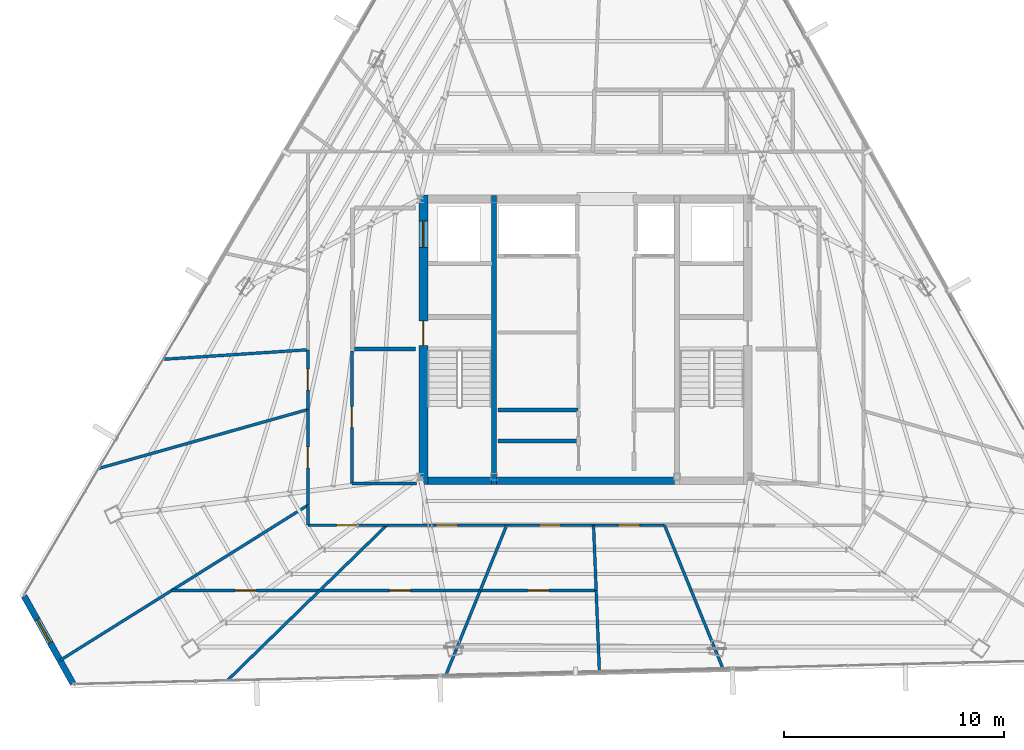
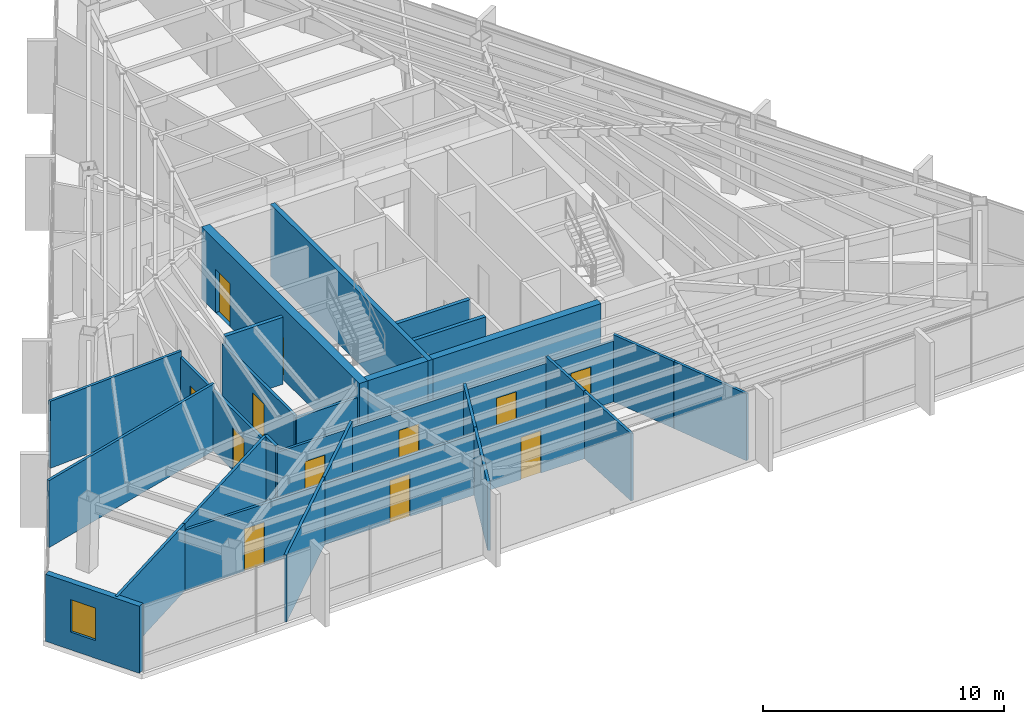
# One storey, part 43 of 48: 32 walls, 12 doors, 1 window, 13 openings.
"""IFC4 building model written with IfcOpenShell, lengths in metres."""

from ifc_helpers import new_model, si_unit, direction, frame, frame_2d, origin, place, context, subcontext, project, spatial, rectangle, extrude, material, layer, layer_set, type_object, element, fill, save


model = new_model("IFC4")

# Units and contexts
model_context = context("Model", 3, precision=1e-05, world=origin(), true_north=direction((0.0, 1.0)))
body_context = subcontext(model_context, "Body", "Model", "MODEL_VIEW")
ifc_project = project(units=[si_unit("LENGTHUNIT", "METRE"), si_unit("AREAUNIT", "SQUARE_METRE"), si_unit("VOLUMEUNIT", "CUBIC_METRE"), si_unit("PLANEANGLEUNIT", "RADIAN"), si_unit("MASSUNIT", "GRAM", prefix="KILO")], contexts=[model_context])

# Site, building, storey
site_placement = place(None, origin())
site = spatial("IfcSite", under=ifc_project, at=site_placement, CompositionType="ELEMENT")
building_placement = place(site_placement, origin())
building = spatial("IfcBuilding", under=site, at=building_placement, Name="Caelisora Broadcast Tower", CompositionType="ELEMENT")
storey_placement = place(building_placement, frame((0.0, 0.0, 270.0)))
storey = spatial("IfcBuildingStorey", under=building, at=storey_placement, Name="L71", CompositionType="ELEMENT", Elevation=270.0)

# Wall, openings, doors
ifc_material_1 = material(Name="Concrete 40 MPa (AS 3600 N40)", Category="concrete")
ifc_layer_1 = layer(ifc_material_1, 0.39990234375, Name="Concrete 40 MPa (AS 3600 N40)")
ifc_layer_set_1 = layer_set([ifc_layer_1], Name="Concrete 40 MPa (AS 3600 N40)")
wall_type_1 = type_object("IfcWallType", Name="CW3", PredefinedType="SHEAR", material=ifc_layer_set_1)
wall_1_placement = place(storey_placement, frame((30.639892578125, 17.050048828125, 0.0), z_axis=(0.0, 0.0, 1.0), x_axis=(0.0, 1.0, 0.0)))
wall_1 = element("IfcWall", 1, at=wall_1_placement, inside=storey, type_object=wall_type_1, Name="L71 core shear wall CW3", PredefinedType="SHEAR", context=body_context, shape_type="SweptSolid", body=[
    extrude(rectangle(XDim=13.125, YDim=0.39990234375, at=frame_2d((6.5625, 0.0))), origin(), (0.0, 0.0, 1.0), 3.64990234375),
])
opening_1_placement = place(wall_1_placement, frame((6.300048828125, 0.0, 0.0)))
opening_1 = element("IfcOpeningElement", 2, at=opening_1_placement, cuts=wall_1, Name="Opening FD04", PredefinedType="OPENING", context=body_context, shape_type="SweptSolid", body=[
    extrude(rectangle(XDim=1.1201171875, YDim=2.14990234375, at=frame_2d((0.56005859375, 1.074951171875))), frame((0.0, 0.2119140625, 0.0), z_axis=(0.0, -1.0, 0.0), x_axis=(1.0, 0.0, 0.0)), (0.0, 0.0, 1.0), 0.423828125),
])
opening_2_placement = place(wall_1_placement, frame((10.75, 0.0, 0.0)))
opening_2 = element("IfcOpeningElement", 3, at=opening_2_placement, cuts=wall_1, Name="Opening LD04", PredefinedType="OPENING", context=body_context, shape_type="SweptSolid", body=[
    extrude(rectangle(XDim=1.199951171875, YDim=2.199951171875, at=frame_2d((0.60009765625, 1.10009765625))), frame((0.0, 0.2119140625, 0.0), z_axis=(0.0, -1.0, 0.0), x_axis=(1.0, 0.0, 0.0)), (0.0, 0.0, 1.0), 0.423828125),
])
ifc_material_2 = material(Name="Pressurised Fire-Isolated Stair Door", Category="steel")
door_type_1 = type_object("IfcDoorType", Name="FD04", OperationType="NOTDEFINED", PredefinedType="DOOR", material=ifc_material_2)
door_1_placement = place(opening_1_placement, origin())
door_1 = element("IfcDoor", 4, at=door_1_placement, inside=storey, type_object=door_type_1, Name="L71 door FD04 (L71-DR-ST1)", OperationType="SINGLE_SWING_LEFT", OverallHeight=2.14990234375, OverallWidth=1.1201171875, PredefinedType="DOOR", context=body_context, shape_type="SweptSolid", body=[
    extrude(rectangle(XDim=1.1201171875, YDim=2.14990234375, at=frame_2d((0.56005859375, 1.074951171875))), frame((0.0, 0.02490234375, 0.0), z_axis=(0.0, -1.0, 0.0), x_axis=(1.0, 0.0, 0.0)), (0.0, 0.0, 1.0), 0.050048828125),
])
fill(opening_1, door_1)
ifc_material_3 = material(Name="Emergency Firefighting Lift Sliding Landing Door", Category="steel")
door_type_2 = type_object("IfcDoorType", Name="LD04", OperationType="NOTDEFINED", PredefinedType="DOOR", material=ifc_material_3)
door_2_placement = place(opening_2_placement, origin())
door_2 = element("IfcDoor", 5, at=door_2_placement, inside=storey, type_object=door_type_2, Name="L71 door LD04 (L71-LD-FFL1)", OperationType="SLIDING_TO_LEFT", OverallHeight=2.199951171875, OverallWidth=1.199951171875, PredefinedType="DOOR", context=body_context, shape_type="SweptSolid", body=[
    extrude(rectangle(XDim=1.199951171875, YDim=2.199951171875, at=frame_2d((0.60009765625, 1.10009765625))), frame((0.0, 0.02490234375, 0.0), z_axis=(0.0, -1.0, 0.0), x_axis=(1.0, 0.0, 0.0)), (0.0, 0.0, 1.0), 0.050048828125),
])
fill(opening_2, door_2)

# Walls
ifc_layer_2 = layer(ifc_material_1, 0.35009765625, Name="Concrete 40 MPa (AS 3600 N40)")
ifc_layer_set_2 = layer_set([ifc_layer_2], Name="Concrete 40 MPa (AS 3600 N40)")
wall_type_2 = type_object("IfcWallType", Name="CW6", PredefinedType="SHEAR", material=ifc_layer_set_2)
wall_2_placement = place(storey_placement, frame((30.840087890625, 17.22509765625, 0.0), z_axis=(0.0, 0.0, 1.0), x_axis=(1.0, 0.0, 0.0)))
element("IfcWall", 6, at=wall_2_placement, inside=storey, type_object=wall_type_2, Name="L71 core shear wall CW6", PredefinedType="SHEAR", context=body_context, shape_type="SweptSolid", body=[
    extrude(rectangle(XDim=2.89990234375, YDim=0.35009765625, at=frame_2d((1.449951171875, 0.0))), origin(), (0.0, 0.0, 1.0), 3.64990234375),
])
wall_3_placement = place(storey_placement, frame((33.9599609375, 17.22509765625, 0.0), z_axis=(0.0, 0.0, 1.0), x_axis=(1.0, 0.0, 0.0)))
element("IfcWall", 7, at=wall_3_placement, inside=storey, type_object=wall_type_2, Name="L71 core shear wall CW6", PredefinedType="SHEAR", context=body_context, shape_type="SweptSolid", body=[
    extrude(rectangle(XDim=8.080078125, YDim=0.35009765625, at=frame_2d((4.0400390625, 0.0))), origin(), (0.0, 0.0, 1.0), 3.64990234375),
])
ifc_material_4 = material(Name="Concrete 50 MPa (AS 3600 S50)", Category="concrete")
ifc_layer_3 = layer(ifc_material_4, 0.219970703125, Name="Concrete 50 MPa (AS 3600 S50)")
ifc_layer_set_3 = layer_set([ifc_layer_3], Name="Concrete 50 MPa (AS 3600 S50)")
wall_type_3 = type_object("IfcWallType", Name="CW7", PredefinedType="SHEAR", material=ifc_layer_set_3)
wall_4_placement = place(storey_placement, frame((33.85009765625, 17.050048828125, 0.0), z_axis=(0.0, 0.0, 1.0), x_axis=(0.0, 1.0, 0.0)))
element("IfcWall", 8, at=wall_4_placement, inside=storey, type_object=wall_type_3, Name="L71 core shear wall CW7", PredefinedType="SHEAR", context=body_context, shape_type="SweptSolid", body=[
    extrude(rectangle(XDim=13.125, YDim=0.219970703125, at=frame_2d((6.5625, 0.0))), origin(), (0.0, 0.0, 1.0), 3.64990234375),
])

# Wall, opening, window
ifc_material_5 = material(Name="Insulated Terracotta Spandrel Wall System", Category="masonry")
ifc_layer_4 = layer(ifc_material_5, 0.280029296875, Name="Insulated Terracotta Spandrel Wall System")
ifc_layer_set_4 = layer_set([ifc_layer_4], Name="Insulated Terracotta Spandrel Wall System")
wall_type_4 = type_object("IfcWallType", Name="EW1", PredefinedType="STANDARD", material=ifc_layer_set_4)
wall_5_placement = place(storey_placement, frame((14.74951171875, 8.01611328125, 0.0), z_axis=(0.0, 0.0, 1.0), x_axis=(-0.487722778136, 0.872998563394, 0.0)))
wall_5 = element("IfcWall", 9, at=wall_5_placement, inside=storey, type_object=wall_type_4, Name="L71 exterior envelope wall EW1", PredefinedType="STANDARD", context=body_context, shape_type="SweptSolid", body=[
    extrude(rectangle(XDim=4.5517578125, YDim=0.280029296875, at=frame_2d((2.27587890625, 0.0))), origin(), (0.0, 0.0, 1.0), 3.39990234375),
])
opening_3_placement = place(wall_5_placement, frame((2.1298828125, 0.0, 0.89990234375)))
opening_3 = element("IfcOpeningElement", 10, at=opening_3_placement, cuts=wall_5, Name="Opening W03", PredefinedType="OPENING", context=body_context, shape_type="SweptSolid", body=[
    extrude(rectangle(XDim=1.199951171875, YDim=1.64990234375, at=frame_2d((0.60009765625, 0.824951171875))), frame((0.0, 0.152099609375, 0.0), z_axis=(0.0, -1.0, 0.0), x_axis=(1.0, 0.0, 0.0)), (0.0, 0.0, 1.0), 0.303955078125),
])
ifc_material_6 = material(Name="Double Glazed Corner Vision Window", Category="glass")
window_type = type_object("IfcWindowType", Name="W03", PartitioningType="SINGLE_PANEL", PredefinedType="WINDOW", material=ifc_material_6)
window_placement = place(opening_3_placement, origin())
window = element("IfcWindow", 11, at=window_placement, inside=storey, type_object=window_type, Name="L71 window W03 (L71-WN-CH4)", OverallHeight=1.64990234375, OverallWidth=1.199951171875, PartitioningType="SINGLE_PANEL", PredefinedType="WINDOW", context=body_context, shape_type="SweptSolid", body=[
    extrude(rectangle(XDim=1.199951171875, YDim=1.64990234375, at=frame_2d((0.60009765625, 0.824951171875))), frame((0.0, 0.030029296875, 0.0), z_axis=(0.0, -1.0, 0.0), x_axis=(1.0, 0.0, 0.0)), (0.0, 0.0, 1.0), 0.06005859375),
])
fill(opening_3, window)

# Walls
ifc_material_7 = material(Name="Fire-Rated Gypsum Shaft and Compartment Wall", Category="gypsum")
ifc_layer_5 = layer(ifc_material_7, 0.179931640625, Name="Fire-Rated Gypsum Shaft and Compartment Wall")
ifc_layer_set_5 = layer_set([ifc_layer_5], Name="Fire-Rated Gypsum Shaft and Compartment Wall")
wall_type_5 = type_object("IfcWallType", Name="PW2", PredefinedType="PARTITIONING", material=ifc_layer_set_5)
wall_6_placement = place(storey_placement, frame((27.52001953125, 23.199951171875, 0.0), z_axis=(0.0, 0.0, 1.0), x_axis=(1.0, 0.0, 0.0)))
element("IfcWall", 12, at=wall_6_placement, inside=storey, type_object=wall_type_5, Name="L71 fire compartment wall PW2", PredefinedType="PARTITIONING", context=body_context, shape_type="SweptSolid", body=[
    extrude(rectangle(XDim=2.760009765625, YDim=0.179931640625, at=frame_2d((1.3798828125, 0.0))), origin(), (0.0, 0.0, 1.0), 3.39990234375),
])
wall_7_placement = place(storey_placement, frame((34.02001953125, 20.419921875, 0.0), z_axis=(0.0, 0.0, 1.0), x_axis=(1.0, 0.0, 0.0)))
element("IfcWall", 13, at=wall_7_placement, inside=storey, type_object=wall_type_5, Name="L71 fire compartment wall PW2", PredefinedType="PARTITIONING", context=body_context, shape_type="SweptSolid", body=[
    extrude(rectangle(XDim=3.639892578125, YDim=0.179931640625, at=frame_2d((1.81982421875, 0.0))), origin(), (0.0, 0.0, 1.0), 3.39990234375),
])
wall_8_placement = place(storey_placement, frame((34.02001953125, 19.02001953125, 0.0), z_axis=(0.0, 0.0, 1.0), x_axis=(1.0, 0.0, 0.0)))
element("IfcWall", 14, at=wall_8_placement, inside=storey, type_object=wall_type_5, Name="L71 fire compartment wall PW2", PredefinedType="PARTITIONING", context=body_context, shape_type="SweptSolid", body=[
    extrude(rectangle(XDim=3.580078125, YDim=0.179931640625, at=frame_2d((1.7900390625, 0.0))), origin(), (0.0, 0.0, 1.0), 3.39990234375),
])
ifc_material_8 = material(Name="Acoustic Steel-Stud Plasterboard Partition", Category="gypsum")
ifc_layer_6 = layer(ifc_material_8, 0.1298828125, Name="Acoustic Steel-Stud Plasterboard Partition")
ifc_layer_set_6 = layer_set([ifc_layer_6], Name="Acoustic Steel-Stud Plasterboard Partition")
wall_type_6 = type_object("IfcWallType", Name="PW3", PredefinedType="PARTITIONING", material=ifc_layer_set_6)
wall_9_placement = place(storey_placement, frame((15.912109375, 17.777099609375, 0.0), z_axis=(0.0, 0.0, 1.0), x_axis=(0.962523679816, 0.271197650788, 0.0)))
element("IfcWall", 15, at=wall_9_placement, inside=storey, type_object=wall_type_6, Name="L71 internal partition PW3", PredefinedType="PARTITIONING", context=body_context, shape_type="SweptSolid", body=[
    extrude(rectangle(XDim=9.85205078125, YDim=0.1298828125, at=frame_2d((4.926025390625, 0.0))), origin(), (0.0, 0.0, 1.0), 3.39990234375),
])
wall_10_placement = place(storey_placement, frame((19.22412109375, 12.242919921875, 0.0), z_axis=(0.0, 0.0, 1.0), x_axis=(0.847591195902, 0.530649757023, 0.0)))
element("IfcWall", 16, at=wall_10_placement, inside=storey, type_object=wall_type_6, Name="L71 internal partition PW3", PredefinedType="PARTITIONING", context=body_context, shape_type="SweptSolid", body=[
    extrude(rectangle(XDim=7.28173828125, YDim=0.1298828125, at=frame_2d((3.640869140625, 0.0))), origin(), (0.0, 0.0, 1.0), 3.39990234375),
])

# Wall, opening, door
wall_11_placement = place(storey_placement, frame((25.945068359375, 12.239990234375, 0.0), z_axis=(0.0, 0.0, 1.0), x_axis=(1.0, 0.0, 0.0)))
wall_11 = element("IfcWall", 17, at=wall_11_placement, inside=storey, type_object=wall_type_6, Name="L71 internal partition PW3", PredefinedType="PARTITIONING", context=body_context, shape_type="SweptSolid", body=[
    extrude(rectangle(XDim=7.27001953125, YDim=0.1298828125, at=frame_2d((3.635009765625, 0.0))), origin(), (0.0, 0.0, 1.0), 3.0849609375),
])
opening_4_placement = place(wall_11_placement, frame((3.155029296875, 0.0, 0.0)))
opening_4 = element("IfcOpeningElement", 18, at=opening_4_placement, cuts=wall_11, Name="Opening D01", PredefinedType="OPENING", context=body_context, shape_type="SweptSolid", body=[
    extrude(rectangle(XDim=0.9599609375, YDim=2.14990234375, at=frame_2d((0.47998046875, 1.074951171875))), frame((0.0, 0.076904296875, 0.0), z_axis=(0.0, -1.0, 0.0), x_axis=(1.0, 0.0, 0.0)), (0.0, 0.0, 1.0), 0.15380859375),
])
ifc_material_9 = material(Name="Solid-Core Timber Acoustic Office Door", Category="wood")
door_type_3 = type_object("IfcDoorType", Name="D01", OperationType="NOTDEFINED", PredefinedType="DOOR", material=ifc_material_9)
door_3_placement = place(opening_4_placement, origin())
door_3 = element("IfcDoor", 19, at=door_3_placement, inside=storey, type_object=door_type_3, Name="L71 door D01 (L71-DR-P41D1)", OperationType="SINGLE_SWING_RIGHT", OverallHeight=2.14990234375, OverallWidth=0.9599609375, PredefinedType="DOOR", context=body_context, shape_type="SweptSolid", body=[
    extrude(rectangle(XDim=0.9599609375, YDim=2.14990234375, at=frame_2d((0.47998046875, 1.074951171875))), frame((0.0, 0.02490234375, 0.0), z_axis=(0.0, -1.0, 0.0), x_axis=(1.0, 0.0, 0.0)), (0.0, 0.0, 1.0), 0.050048828125),
])
fill(opening_4, door_3)

wall_12_placement = place(storey_placement, frame((19.22509765625, 12.239990234375, 0.0), z_axis=(0.0, 0.0, 1.0), x_axis=(1.0, 0.0, 0.0)))
wall_12 = element("IfcWall", 20, at=wall_12_placement, inside=storey, type_object=wall_type_6, Name="L71 internal partition PW3", PredefinedType="PARTITIONING", context=body_context, shape_type="SweptSolid", body=[
    extrude(rectangle(XDim=6.7099609375, YDim=0.1298828125, at=frame_2d((3.35498046875, 0.0))), origin(), (0.0, 0.0, 1.0), 3.0849609375),
])
opening_5_placement = place(wall_12_placement, frame((2.875, 0.0, 0.0)))
opening_5 = element("IfcOpeningElement", 21, at=opening_5_placement, cuts=wall_12, Name="Opening D01", PredefinedType="OPENING", context=body_context, shape_type="SweptSolid", body=[
    extrude(rectangle(XDim=0.9599609375, YDim=2.14990234375, at=frame_2d((0.47998046875, 1.074951171875))), frame((0.0, 0.076904296875, 0.0), z_axis=(0.0, -1.0, 0.0), x_axis=(1.0, 0.0, 0.0)), (0.0, 0.0, 1.0), 0.15380859375),
])
door_4_placement = place(opening_5_placement, origin())
door_4 = element("IfcDoor", 22, at=door_4_placement, inside=storey, type_object=door_type_3, Name="L71 door D01 (L71-DR-P42D1)", OperationType="SINGLE_SWING_LEFT", OverallHeight=2.14990234375, OverallWidth=0.9599609375, PredefinedType="DOOR", context=body_context, shape_type="SweptSolid", body=[
    extrude(rectangle(XDim=0.9599609375, YDim=2.14990234375, at=frame_2d((0.47998046875, 1.074951171875))), frame((0.0, 0.02490234375, 0.0), z_axis=(0.0, -1.0, 0.0), x_axis=(1.0, 0.0, 0.0)), (0.0, 0.0, 1.0), 0.050048828125),
])
fill(opening_5, door_4)

# Wall
wall_13_placement = place(storey_placement, frame((18.836181640625, 22.727783203125, 0.0), z_axis=(0.0, 0.0, 1.0), x_axis=(0.997836625265, 0.065742446556, 0.0)))
element("IfcWall", 23, at=wall_13_placement, inside=storey, type_object=wall_type_6, Name="L71 internal partition PW3", PredefinedType="PARTITIONING", context=body_context, shape_type="SweptSolid", body=[
    extrude(rectangle(XDim=6.572998046875, YDim=0.1298828125, at=frame_2d((3.28662109375, 0.0))), origin(), (0.0, 0.0, 1.0), 3.39990234375),
])

# Wall, opening, door
wall_14_placement = place(storey_placement, frame((27.39990234375, 17.10498046875, 0.0), z_axis=(0.0, 0.0, 1.0), x_axis=(0.0, 1.0, 0.0)))
wall_14 = element("IfcWall", 24, at=wall_14_placement, inside=storey, type_object=wall_type_6, Name="L71 internal partition PW3", PredefinedType="PARTITIONING", context=body_context, shape_type="SweptSolid", body=[
    extrude(rectangle(XDim=6.0, YDim=0.1298828125, at=frame_2d((3.0, 0.0))), origin(), (0.0, 0.0, 1.0), 3.0849609375),
])
opening_6_placement = place(wall_14_placement, frame((2.52001953125, 0.0, 0.0)))
opening_6 = element("IfcOpeningElement", 25, at=opening_6_placement, cuts=wall_14, Name="Opening D01", PredefinedType="OPENING", context=body_context, shape_type="SweptSolid", body=[
    extrude(rectangle(XDim=0.9599609375, YDim=2.14990234375, at=frame_2d((0.47998046875, 1.074951171875))), frame((0.0, 0.076904296875, 0.0), z_axis=(0.0, -1.0, 0.0), x_axis=(1.0, 0.0, 0.0)), (0.0, 0.0, 1.0), 0.15380859375),
])
door_5_placement = place(opening_6_placement, origin())
door_5 = element("IfcDoor", 26, at=door_5_placement, inside=storey, type_object=door_type_3, Name="L71 door D01 (L71-DR-P45D1)", OperationType="SINGLE_SWING_LEFT", OverallHeight=2.14990234375, OverallWidth=0.9599609375, PredefinedType="DOOR", context=body_context, shape_type="SweptSolid", body=[
    extrude(rectangle(XDim=0.9599609375, YDim=2.14990234375, at=frame_2d((0.47998046875, 1.074951171875))), frame((0.0, 0.02490234375, 0.0), z_axis=(0.0, -1.0, 0.0), x_axis=(1.0, 0.0, 0.0)), (0.0, 0.0, 1.0), 0.050048828125),
])
fill(opening_6, door_5)

# Walls
wall_15_placement = place(storey_placement, frame((14.15625, 9.067626953125, 0.0), z_axis=(0.0, 0.0, 1.0), x_axis=(0.847467214063, 0.53084773814, 0.0)))
element("IfcWall", 27, at=wall_15_placement, inside=storey, type_object=wall_type_6, Name="L71 internal partition PW3", PredefinedType="PARTITIONING", context=body_context, shape_type="SweptSolid", body=[
    extrude(rectangle(XDim=5.970458984375, YDim=0.1298828125, at=frame_2d((2.9853515625, 0.0))), origin(), (0.0, 0.0, 1.0), 3.39990234375),
])
wall_16_placement = place(storey_placement, frame((21.745361328125, 8.15283203125, 0.0), z_axis=(0.0, 0.0, 1.0), x_axis=(0.716143495012, 0.697953074749, 0.0)))
element("IfcWall", 28, at=wall_16_placement, inside=storey, type_object=wall_type_6, Name="L71 internal partition PW3", PredefinedType="PARTITIONING", context=body_context, shape_type="SweptSolid", body=[
    extrude(rectangle(XDim=5.851806640625, YDim=0.1298828125, at=frame_2d((2.92578125, 0.0))), origin(), (0.0, 0.0, 1.0), 3.39990234375),
])

# Wall, opening, door
wall_17_placement = place(storey_placement, frame((28.985107421875, 15.199951171875, 0.0), z_axis=(0.0, 0.0, 1.0), x_axis=(1.0, 0.0, 0.0)))
wall_17 = element("IfcWall", 29, at=wall_17_placement, inside=storey, type_object=wall_type_6, Name="L71 internal partition PW3", PredefinedType="PARTITIONING", context=body_context, shape_type="SweptSolid", body=[
    extrude(rectangle(XDim=5.429931640625, YDim=0.1298828125, at=frame_2d((2.71484375, 0.0))), origin(), (0.0, 0.0, 1.0), 3.0849609375),
])
opening_7_placement = place(wall_17_placement, frame((2.235107421875, 0.0, 0.0)))
opening_7 = element("IfcOpeningElement", 30, at=opening_7_placement, cuts=wall_17, Name="Opening D01", PredefinedType="OPENING", context=body_context, shape_type="SweptSolid", body=[
    extrude(rectangle(XDim=0.9599609375, YDim=2.14990234375, at=frame_2d((0.47998046875, 1.074951171875))), frame((0.0, 0.076904296875, 0.0), z_axis=(0.0, -1.0, 0.0), x_axis=(1.0, 0.0, 0.0)), (0.0, 0.0, 1.0), 0.15380859375),
])
door_6_placement = place(opening_7_placement, origin())
door_6 = element("IfcDoor", 31, at=door_6_placement, inside=storey, type_object=door_type_3, Name="L71 door D01 (L71-DR-P50D1)", OperationType="SINGLE_SWING_LEFT", OverallHeight=2.14990234375, OverallWidth=0.9599609375, PredefinedType="DOOR", context=body_context, shape_type="SweptSolid", body=[
    extrude(rectangle(XDim=0.9599609375, YDim=2.14990234375, at=frame_2d((0.47998046875, 1.074951171875))), frame((0.0, 0.02490234375, 0.0), z_axis=(0.0, -1.0, 0.0), x_axis=(1.0, 0.0, 0.0)), (0.0, 0.0, 1.0), 0.050048828125),
])
fill(opening_7, door_6)

wall_18_placement = place(storey_placement, frame((33.22509765625, 12.239990234375, 0.0), z_axis=(0.0, 0.0, 1.0), x_axis=(1.0, 0.0, 0.0)))
wall_18 = element("IfcWall", 32, at=wall_18_placement, inside=storey, type_object=wall_type_6, Name="L71 internal partition PW3", PredefinedType="PARTITIONING", context=body_context, shape_type="SweptSolid", body=[
    extrude(rectangle(XDim=5.25, YDim=0.1298828125, at=frame_2d((2.625, 0.0))), origin(), (0.0, 0.0, 1.0), 3.0849609375),
])
opening_8_placement = place(wall_18_placement, frame((2.14501953125, 0.0, 0.0)))
opening_8 = element("IfcOpeningElement", 33, at=opening_8_placement, cuts=wall_18, Name="Opening D01", PredefinedType="OPENING", context=body_context, shape_type="SweptSolid", body=[
    extrude(rectangle(XDim=0.9599609375, YDim=2.14990234375, at=frame_2d((0.47998046875, 1.074951171875))), frame((0.0, 0.076904296875, 0.0), z_axis=(0.0, -1.0, 0.0), x_axis=(1.0, 0.0, 0.0)), (0.0, 0.0, 1.0), 0.15380859375),
])
door_7_placement = place(opening_8_placement, origin())
door_7 = element("IfcDoor", 34, at=door_7_placement, inside=storey, type_object=door_type_3, Name="L71 door D01 (L71-DR-P52D1)", OperationType="SINGLE_SWING_RIGHT", OverallHeight=2.14990234375, OverallWidth=0.9599609375, PredefinedType="DOOR", context=body_context, shape_type="SweptSolid", body=[
    extrude(rectangle(XDim=0.9599609375, YDim=2.14990234375, at=frame_2d((0.47998046875, 1.074951171875))), frame((0.0, 0.02490234375, 0.0), z_axis=(0.0, -1.0, 0.0), x_axis=(1.0, 0.0, 0.0)), (0.0, 0.0, 1.0), 0.050048828125),
])
fill(opening_8, door_7)

wall_19_placement = place(storey_placement, frame((25.39990234375, 16.114990234375, 0.0), z_axis=(0.0, 0.0, 1.0), x_axis=(0.0, 1.0, 0.0)))
wall_19 = element("IfcWall", 35, at=wall_19_placement, inside=storey, type_object=wall_type_6, Name="L71 internal partition PW3", PredefinedType="PARTITIONING", context=body_context, shape_type="SweptSolid", body=[
    extrude(rectangle(XDim=4.330078125, YDim=0.1298828125, at=frame_2d((2.1650390625, 0.0))), origin(), (0.0, 0.0, 1.0), 3.0849609375),
])
opening_9_placement = place(wall_19_placement, frame((1.68505859375, 0.0, 0.0)))
opening_9 = element("IfcOpeningElement", 36, at=opening_9_placement, cuts=wall_19, Name="Opening D01", PredefinedType="OPENING", context=body_context, shape_type="SweptSolid", body=[
    extrude(rectangle(XDim=0.9599609375, YDim=2.14990234375, at=frame_2d((0.47998046875, 1.074951171875))), frame((0.0, 0.076904296875, 0.0), z_axis=(0.0, -1.0, 0.0), x_axis=(1.0, 0.0, 0.0)), (0.0, 0.0, 1.0), 0.15380859375),
])
door_8_placement = place(opening_9_placement, origin())
door_8 = element("IfcDoor", 37, at=door_8_placement, inside=storey, type_object=door_type_3, Name="L71 door D01 (L71-DR-P54D1)", OperationType="SINGLE_SWING_LEFT", OverallHeight=2.14990234375, OverallWidth=0.9599609375, PredefinedType="DOOR", context=body_context, shape_type="SweptSolid", body=[
    extrude(rectangle(XDim=0.9599609375, YDim=2.14990234375, at=frame_2d((0.47998046875, 1.074951171875))), frame((0.0, 0.02490234375, 0.0), z_axis=(0.0, -1.0, 0.0), x_axis=(1.0, 0.0, 0.0)), (0.0, 0.0, 1.0), 0.050048828125),
])
fill(opening_9, door_8)

# Walls
wall_20_placement = place(storey_placement, frame((31.656982421875, 8.390869140625, 0.0), z_axis=(0.0, 0.0, 1.0), x_axis=(0.376234993395, 0.926524273694, 0.0)))
element("IfcWall", 38, at=wall_20_placement, inside=storey, type_object=wall_type_6, Name="L71 internal partition PW3", PredefinedType="PARTITIONING", context=body_context, shape_type="SweptSolid", body=[
    extrude(rectangle(XDim=4.149169921875, YDim=0.1298828125, at=frame_2d((2.07470703125, 0.0))), origin(), (0.0, 0.0, 1.0), 3.39990234375),
])
wall_21_placement = place(storey_placement, frame((25.944091796875, 12.242919921875, 0.0), z_axis=(0.0, 0.0, 1.0), x_axis=(0.716245849318, 0.697848037423, 0.0)))
element("IfcWall", 39, at=wall_21_placement, inside=storey, type_object=wall_type_6, Name="L71 internal partition PW3", PredefinedType="PARTITIONING", context=body_context, shape_type="SweptSolid", body=[
    extrude(rectangle(XDim=4.233154296875, YDim=0.1298828125, at=frame_2d((2.11669921875, 0.0))), origin(), (0.0, 0.0, 1.0), 3.39990234375),
])

# Wall, opening, door
wall_22_placement = place(storey_placement, frame((34.425048828125, 15.199951171875, 0.0), z_axis=(0.0, 0.0, 1.0), x_axis=(1.0, 0.0, 0.0)))
wall_22 = element("IfcWall", 40, at=wall_22_placement, inside=storey, type_object=wall_type_6, Name="L71 internal partition PW3", PredefinedType="PARTITIONING", context=body_context, shape_type="SweptSolid", body=[
    extrude(rectangle(XDim=3.929931640625, YDim=0.1298828125, at=frame_2d((1.96484375, 0.0))), origin(), (0.0, 0.0, 1.0), 3.0849609375),
])
opening_10_placement = place(wall_22_placement, frame((1.485107421875, 0.0, 0.0)))
opening_10 = element("IfcOpeningElement", 41, at=opening_10_placement, cuts=wall_22, Name="Opening D01", PredefinedType="OPENING", context=body_context, shape_type="SweptSolid", body=[
    extrude(rectangle(XDim=0.9599609375, YDim=2.14990234375, at=frame_2d((0.47998046875, 1.074951171875))), frame((0.0, 0.076904296875, 0.0), z_axis=(0.0, -1.0, 0.0), x_axis=(1.0, 0.0, 0.0)), (0.0, 0.0, 1.0), 0.15380859375),
])
door_9_placement = place(opening_10_placement, origin())
door_9 = element("IfcDoor", 42, at=door_9_placement, inside=storey, type_object=door_type_3, Name="L71 door D01 (L71-DR-P60D1)", OperationType="SINGLE_SWING_LEFT", OverallHeight=2.14990234375, OverallWidth=0.9599609375, PredefinedType="DOOR", context=body_context, shape_type="SweptSolid", body=[
    extrude(rectangle(XDim=0.9599609375, YDim=2.14990234375, at=frame_2d((0.47998046875, 1.074951171875))), frame((0.0, 0.02490234375, 0.0), z_axis=(0.0, -1.0, 0.0), x_axis=(1.0, 0.0, 0.0)), (0.0, 0.0, 1.0), 0.050048828125),
])
fill(opening_10, door_9)

# Walls
wall_23_placement = place(storey_placement, frame((42.7919921875, 12.235107421875, 0.0), z_axis=(0.0, 0.0, 1.0), x_axis=(0.376657910475, -0.926352426713, 0.0)))
element("IfcWall", 43, at=wall_23_placement, inside=storey, type_object=wall_type_6, Name="L71 internal partition PW3", PredefinedType="PARTITIONING", context=body_context, shape_type="SweptSolid", body=[
    extrude(rectangle(XDim=3.823486328125, YDim=0.1298828125, at=frame_2d((1.91162109375, 0.0))), origin(), (0.0, 0.0, 1.0), 3.39990234375),
])
wall_24_placement = place(storey_placement, frame((38.47998046875, 12.235107421875, 0.0), z_axis=(0.0, 0.0, 1.0), x_axis=(0.039742812447, -0.999209942334, 0.0)))
element("IfcWall", 44, at=wall_24_placement, inside=storey, type_object=wall_type_6, Name="L71 internal partition PW3", PredefinedType="PARTITIONING", context=body_context, shape_type="SweptSolid", body=[
    extrude(rectangle(XDim=3.6796875, YDim=0.1298828125, at=frame_2d((1.83984375, 0.0))), origin(), (0.0, 0.0, 1.0), 3.39990234375),
])

# Wall, opening, door
wall_25_placement = place(storey_placement, frame((25.405029296875, 15.199951171875, 0.0), z_axis=(0.0, 0.0, 1.0), x_axis=(1.0, 0.0, 0.0)))
wall_25 = element("IfcWall", 45, at=wall_25_placement, inside=storey, type_object=wall_type_6, Name="L71 internal partition PW3", PredefinedType="PARTITIONING", context=body_context, shape_type="SweptSolid", body=[
    extrude(rectangle(XDim=3.570068359375, YDim=0.1298828125, at=frame_2d((1.78515625, 0.0))), origin(), (0.0, 0.0, 1.0), 3.0849609375),
])
opening_11_placement = place(wall_25_placement, frame((1.304931640625, 0.0, 0.0)))
opening_11 = element("IfcOpeningElement", 46, at=opening_11_placement, cuts=wall_25, Name="Opening D01", PredefinedType="OPENING", context=body_context, shape_type="SweptSolid", body=[
    extrude(rectangle(XDim=0.9599609375, YDim=2.14990234375, at=frame_2d((0.47998046875, 1.074951171875))), frame((0.0, 0.076904296875, 0.0), z_axis=(0.0, -1.0, 0.0), x_axis=(1.0, 0.0, 0.0)), (0.0, 0.0, 1.0), 0.15380859375),
])
door_10_placement = place(opening_11_placement, origin())
door_10 = element("IfcDoor", 47, at=door_10_placement, inside=storey, type_object=door_type_3, Name="L71 door D01 (L71-DR-P64D1)", OperationType="SINGLE_SWING_LEFT", OverallHeight=2.14990234375, OverallWidth=0.9599609375, PredefinedType="DOOR", context=body_context, shape_type="SweptSolid", body=[
    extrude(rectangle(XDim=0.9599609375, YDim=2.14990234375, at=frame_2d((0.47998046875, 1.074951171875))), frame((0.0, 0.02490234375, 0.0), z_axis=(0.0, -1.0, 0.0), x_axis=(1.0, 0.0, 0.0)), (0.0, 0.0, 1.0), 0.050048828125),
])
fill(opening_11, door_10)

wall_26_placement = place(storey_placement, frame((38.364990234375, 15.199951171875, 0.0), z_axis=(0.0, 0.0, 1.0), x_axis=(1.0, 0.0, 0.0)))
wall_26 = element("IfcWall", 48, at=wall_26_placement, inside=storey, type_object=wall_type_6, Name="L71 internal partition PW3", PredefinedType="PARTITIONING", context=body_context, shape_type="SweptSolid", body=[
    extrude(rectangle(XDim=3.2099609375, YDim=0.1298828125, at=frame_2d((1.60498046875, 0.0))), origin(), (0.0, 0.0, 1.0), 3.0849609375),
])
opening_12_placement = place(wall_26_placement, frame((1.125, 0.0, 0.0)))
opening_12 = element("IfcOpeningElement", 49, at=opening_12_placement, cuts=wall_26, Name="Opening D01", PredefinedType="OPENING", context=body_context, shape_type="SweptSolid", body=[
    extrude(rectangle(XDim=0.9599609375, YDim=2.14990234375, at=frame_2d((0.47998046875, 1.074951171875))), frame((0.0, 0.076904296875, 0.0), z_axis=(0.0, -1.0, 0.0), x_axis=(1.0, 0.0, 0.0)), (0.0, 0.0, 1.0), 0.15380859375),
])
door_11_placement = place(opening_12_placement, origin())
door_11 = element("IfcDoor", 50, at=door_11_placement, inside=storey, type_object=door_type_3, Name="L71 door D01 (L71-DR-P66D1)", OperationType="SINGLE_SWING_LEFT", OverallHeight=2.14990234375, OverallWidth=0.9599609375, PredefinedType="DOOR", context=body_context, shape_type="SweptSolid", body=[
    extrude(rectangle(XDim=0.9599609375, YDim=2.14990234375, at=frame_2d((0.47998046875, 1.074951171875))), frame((0.0, 0.02490234375, 0.0), z_axis=(0.0, -1.0, 0.0), x_axis=(1.0, 0.0, 0.0)), (0.0, 0.0, 1.0), 0.050048828125),
])
fill(opening_12, door_11)

# Walls
wall_27_placement = place(storey_placement, frame((41.58203125, 15.195068359375, 0.0), z_axis=(0.0, 0.0, 1.0), x_axis=(0.378432983711, -0.925628692749, 0.0)))
element("IfcWall", 51, at=wall_27_placement, inside=storey, type_object=wall_type_6, Name="L71 internal partition PW3", PredefinedType="PARTITIONING", context=body_context, shape_type="SweptSolid", body=[
    extrude(rectangle(XDim=3.18701171875, YDim=0.1298828125, at=frame_2d((1.593505859375, 0.0))), origin(), (0.0, 0.0, 1.0), 3.39990234375),
])
wall_28_placement = place(storey_placement, frame((33.221923828125, 12.2451171875, 0.0), z_axis=(0.0, 0.0, 1.0), x_axis=(0.375737153687, 0.926726276383, 0.0)))
element("IfcWall", 52, at=wall_28_placement, inside=storey, type_object=wall_type_6, Name="L71 internal partition PW3", PredefinedType="PARTITIONING", context=body_context, shape_type="SweptSolid", body=[
    extrude(rectangle(XDim=3.18310546875, YDim=0.1298828125, at=frame_2d((1.591552734375, 0.0))), origin(), (0.0, 0.0, 1.0), 3.39990234375),
])
wall_29_placement = place(storey_placement, frame((30.324951171875, 17.10009765625, 0.0), z_axis=(0.0, 0.0, 1.0), x_axis=(-1.0, 0.0, 0.0)))
element("IfcWall", 53, at=wall_29_placement, inside=storey, type_object=wall_type_6, Name="L71 internal partition PW3", PredefinedType="PARTITIONING", context=body_context, shape_type="SweptSolid", body=[
    extrude(rectangle(XDim=2.919921875, YDim=0.1298828125, at=frame_2d((1.4599609375, 0.0))), origin(), (0.0, 0.0, 1.0), 2.985107421875),
])
wall_30_placement = place(storey_placement, frame((38.360107421875, 15.195068359375, 0.0), z_axis=(0.0, 0.0, 1.0), x_axis=(0.040602095416, -0.999175394937, 0.0)))
element("IfcWall", 54, at=wall_30_placement, inside=storey, type_object=wall_type_6, Name="L71 internal partition PW3", PredefinedType="PARTITIONING", context=body_context, shape_type="SweptSolid", body=[
    extrude(rectangle(XDim=2.952392578125, YDim=0.1298828125, at=frame_2d((1.47607421875, 0.0))), origin(), (0.0, 0.0, 1.0), 3.39990234375),
])

# Wall, opening, door
wall_31_placement = place(storey_placement, frame((25.39990234375, 20.455078125, 0.0), z_axis=(0.0, 0.0, 1.0), x_axis=(0.0, 1.0, 0.0)))
wall_31 = element("IfcWall", 55, at=wall_31_placement, inside=storey, type_object=wall_type_6, Name="L71 internal partition PW3", PredefinedType="PARTITIONING", context=body_context, shape_type="SweptSolid", body=[
    extrude(rectangle(XDim=2.699951171875, YDim=0.1298828125, at=frame_2d((1.35009765625, 0.0))), origin(), (0.0, 0.0, 1.0), 3.0849609375),
])
opening_13_placement = place(wall_31_placement, frame((0.8701171875, 0.0, 0.0)))
opening_13 = element("IfcOpeningElement", 56, at=opening_13_placement, cuts=wall_31, Name="Opening D01", PredefinedType="OPENING", context=body_context, shape_type="SweptSolid", body=[
    extrude(rectangle(XDim=0.9599609375, YDim=2.14990234375, at=frame_2d((0.47998046875, 1.074951171875))), frame((0.0, 0.076904296875, 0.0), z_axis=(0.0, -1.0, 0.0), x_axis=(1.0, 0.0, 0.0)), (0.0, 0.0, 1.0), 0.15380859375),
])
door_12_placement = place(opening_13_placement, origin())
door_12 = element("IfcDoor", 57, at=door_12_placement, inside=storey, type_object=door_type_3, Name="L71 door D01 (L71-DR-P73D1)", OperationType="SINGLE_SWING_RIGHT", OverallHeight=2.14990234375, OverallWidth=0.9599609375, PredefinedType="DOOR", context=body_context, shape_type="SweptSolid", body=[
    extrude(rectangle(XDim=0.9599609375, YDim=2.14990234375, at=frame_2d((0.47998046875, 1.074951171875))), frame((0.0, 0.02490234375, 0.0), z_axis=(0.0, -1.0, 0.0), x_axis=(1.0, 0.0, 0.0)), (0.0, 0.0, 1.0), 0.050048828125),
])
fill(opening_13, door_12)

# Wall
wall_32_placement = place(storey_placement, frame((25.39990234375, 16.10498046875, 0.0), z_axis=(0.0, 0.0, 1.0), x_axis=(0.0, -1.0, 0.0)))
element("IfcWall", 58, at=wall_32_placement, inside=storey, type_object=wall_type_6, Name="L71 internal partition PW3", PredefinedType="PARTITIONING", context=body_context, shape_type="SweptSolid", body=[
    extrude(rectangle(XDim=0.89990234375, YDim=0.1298828125, at=frame_2d((0.449951171875, 0.0))), origin(), (0.0, 0.0, 1.0), 3.39990234375),
])

save(model, "model.ifc")
